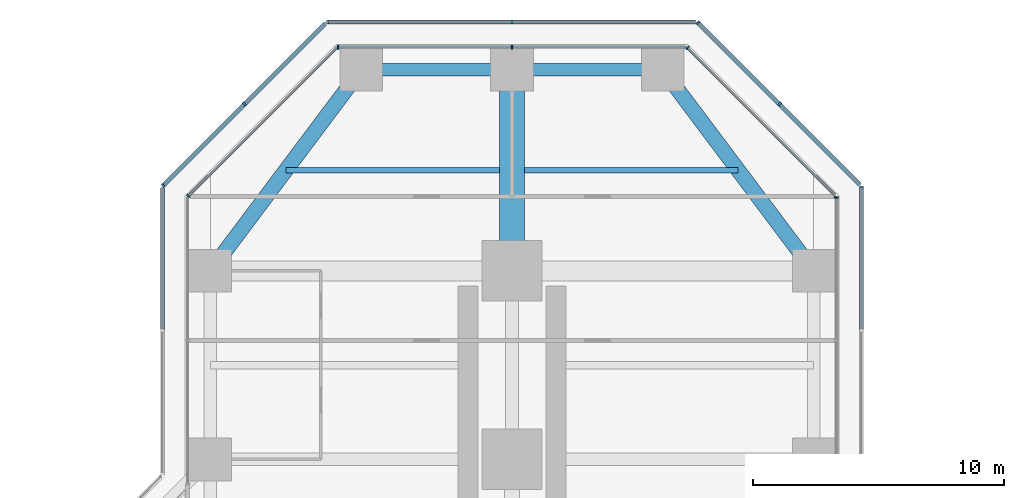
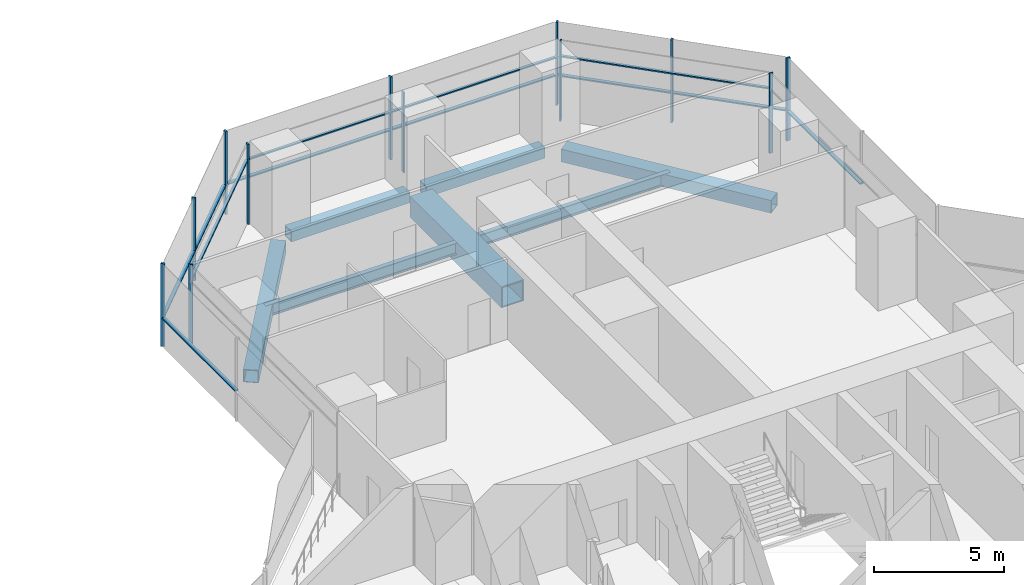
# One storey, part 13 of 22: 24 members, 7 beams, 9 elements without a shape of their own.
"""IFC4 building model written with IfcOpenShell, lengths in metres."""

from ifc_helpers import new_model, si_unit, direction, frame, origin, origin_2d, place, context, subcontext, project, spatial, rectangle, hollow_rectangle, i_section, extrude, material, material_profile, profile_set, type_object, element, aggregate, save


model = new_model("IFC4")

# Units and contexts
model_context = context("Model", 3, precision=1e-05, world=origin(), true_north=direction((0.0, 1.0)))
body_context = subcontext(model_context, "Body", "Model", "MODEL_VIEW")
ifc_project = project(units=[si_unit("LENGTHUNIT", "METRE"), si_unit("AREAUNIT", "SQUARE_METRE"), si_unit("VOLUMEUNIT", "CUBIC_METRE"), si_unit("PLANEANGLEUNIT", "RADIAN"), si_unit("MASSUNIT", "GRAM", prefix="KILO")], contexts=[model_context])

# Site, building, storey
site_placement = place(None, origin())
site = spatial("IfcSite", under=ifc_project, at=site_placement, CompositionType="ELEMENT")
building_placement = place(site_placement, origin())
building = spatial("IfcBuilding", under=site, at=building_placement, Name="Mizan Broadcast Tower", CompositionType="ELEMENT")
storey_placement = place(building_placement, frame((0.0, 0.0, 105.89990234375)))
storey = spatial("IfcBuildingStorey", under=building, at=storey_placement, Name="L23", CompositionType="ELEMENT", Elevation=105.89990234375)

# Beams
ifc_material_1 = material(Name="Steel S355", Category="steel")
ifc_material_profile_1 = material_profile(ifc_material_1, hollow_rectangle(XDim=0.5, YDim=0.5, WallThickness=0.030029296875, at=origin_2d()), Name="BOX 500x500x30")
ifc_profile_set_1 = profile_set([ifc_material_profile_1], Name="Steel S355")
beam_type_1 = type_object("IfcBeamType", Name="EDGE BEAM BOX 500x500x30", PredefinedType="SPANDREL", material=ifc_profile_set_1)
for number, where, z_axis, x_axis, name in (
    (1, (5.639892578125, 35.0, -0.3798828125), (-1.0, 0.0, 0.0), (0.0, -1.0, 0.0), "Edge beam BOX 500x500x30 L23 north arm"),
    (2, (-5.639892578125, 35.0, -0.3798828125), (1.0, 0.0, 0.0), (0.0, 1.0, 0.0), "Edge beam BOX 500x500x30 L23 north arm"),
):
    element("IfcBeam", number, at=place(storey_placement, frame(where, z_axis=z_axis, x_axis=x_axis)), inside=storey, type_object=beam_type_1, Name=name, PredefinedType="SPANDREL", context=body_context, shape_type="SweptSolid", body=[
        extrude(hollow_rectangle(XDim=0.5, YDim=0.5, WallThickness=0.030029296875, at=origin_2d()), origin(), (0.0, 0.0, 1.0), 5.27978515625),
    ])
ifc_material_2 = material(Name="Steel S355", Category="steel")
ifc_material_profile_2 = material_profile(ifc_material_2, hollow_rectangle(XDim=0.60009765625, YDim=0.60009765625, WallThickness=0.030029296875, at=origin_2d()), Name="BOX 600x600x30")
ifc_profile_set_2 = profile_set([ifc_material_profile_2], Name="Steel S355")
beam_type_2 = type_object("IfcBeamType", Name="EDGE BEAM BOX 600x600x30", PredefinedType="SPANDREL", material=ifc_profile_set_2)
for number, where, z_axis, x_axis, name in (
    (3, (11.639892578125, 27.47998046875, -0.429931640625), (-0.599982243973, 0.800013316712, 0.0), (-0.800013316712, -0.599982243973, 0.0), "Edge beam BOX 600x600x30 L23 north arm"),
    (4, (-11.639892578125, 27.47998046875, -0.429931640625), (0.599982243973, 0.800013316712, 0.0), (-0.800013316712, 0.599982243973, 0.0), "Edge beam BOX 600x600x30 L23 north arm"),
):
    element("IfcBeam", number, at=place(storey_placement, frame(where, z_axis=z_axis, x_axis=x_axis)), inside=storey, type_object=beam_type_2, Name=name, PredefinedType="SPANDREL", context=body_context, shape_type="SweptSolid", body=[
        extrude(hollow_rectangle(XDim=0.60009765625, YDim=0.60009765625, WallThickness=0.030029296875, at=origin_2d()), origin(), (0.0, 0.0, 1.0), 8.7998046875),
    ])
ifc_material_3 = material(Name="Steel S460", Category="steel")
ifc_material_profile_3 = material_profile(ifc_material_3, hollow_rectangle(XDim=1.0, YDim=1.0, WallThickness=0.06005859375, at=origin_2d()), Name="BOX 1000x1000x60")
ifc_profile_set_3 = profile_set([ifc_material_profile_3], Name="Steel S460")
beam_type_3 = type_object("IfcBeamType", Name="GIRDER BOX 1000x1000x60", PredefinedType="BEAM", material=ifc_profile_set_3)
beam_placement = place(storey_placement, frame((0.0, 27.47998046875, -0.6298828125), z_axis=(0.0, 1.0, 0.0), x_axis=(-1.0, 0.0, 0.0)))
element("IfcBeam", 5, at=beam_placement, inside=storey, type_object=beam_type_3, Name="Girder BOX 1000x1000x60 L23 north arm", PredefinedType="BEAM", context=body_context, shape_type="SweptSolid", body=[
    extrude(hollow_rectangle(XDim=1.0, YDim=1.0, WallThickness=0.06005859375, at=origin_2d()), origin(), (0.0, 0.0, 1.0), 7.0400390625),
])

# Curtain wall, member
ifc_material_4 = material(Name="Aluminium framed glazing", Category="aluminium")
curtain_wall_type_1 = type_object("IfcCurtainWallType", Name="INNER SKIN LOW ZONE", PredefinedType="USERDEFINED", material=ifc_material_4)
curtain_wall_1_placement = place(storey_placement, origin())
curtain_wall_1 = element("IfcCurtainWall", 6, at=curtain_wall_1_placement, inside=storey, type_object=curtain_wall_type_1, Name="Inner skin low zone L23 N side", ObjectType="INNER SKIN LOW ZONE", PredefinedType="USERDEFINED")
ifc_material_5 = material(Name="Aluminium, pale anodised", Category="aluminium")
ifc_material_profile_4 = material_profile(ifc_material_5, rectangle(XDim=0.159912109375, YDim=0.06005859375, at=origin_2d()), Name="MULLION 160x60")
ifc_profile_set_4 = profile_set([ifc_material_profile_4], Name="Aluminium, pale anodised")
member_type_1 = type_object("IfcMemberType", Name="INNER SKIN MULLION 60x160", PredefinedType="MULLION", material=ifc_profile_set_4)
member_1_placement = place(storey_placement, frame((12.89990234375, 29.928466796875, 0.0), z_axis=(0.0, 0.0, 1.0), x_axis=(-1.0, 0.0, 0.0)))
member_1 = element("IfcMember", 7, at=member_1_placement, type_object=member_type_1, Name="Inner skin low zone L23 N side mullion 3", PredefinedType="MULLION", context=body_context, shape_type="SweptSolid", body=[
    extrude(rectangle(XDim=0.159912109375, YDim=0.06005859375, at=origin_2d()), origin(), (0.0, 0.0, 1.0), 3.77001953125),
])
aggregate(curtain_wall_1, [member_1])

curtain_wall_2_placement = place(storey_placement, origin())
curtain_wall_2 = element("IfcCurtainWall", 8, at=curtain_wall_2_placement, inside=storey, type_object=curtain_wall_type_1, Name="Inner skin low zone L23 N chamfer", ObjectType="INNER SKIN LOW ZONE", PredefinedType="USERDEFINED")
member_2_placement = place(storey_placement, frame((6.979736328125, 35.87890625, 0.0), z_axis=(0.0, 0.0, 1.0), x_axis=(-0.707106781187, -0.707106781187, 0.0)))
member_2 = element("IfcMember", 9, at=member_2_placement, type_object=member_type_1, Name="Inner skin low zone L23 N chamfer mullion 2", PredefinedType="MULLION", context=body_context, shape_type="SweptSolid", body=[
    extrude(rectangle(XDim=0.159912109375, YDim=0.06005859375, at=origin_2d()), origin(), (0.0, 0.0, 1.0), 3.77001953125),
])

# Curtain wall, members
curtain_wall_3_placement = place(storey_placement, origin())
curtain_wall_3 = element("IfcCurtainWall", 10, at=curtain_wall_3_placement, inside=storey, type_object=curtain_wall_type_1, Name="Inner skin low zone L23 N end", ObjectType="INNER SKIN LOW ZONE", PredefinedType="USERDEFINED")
member_3_placement = place(storey_placement, frame((0.0, 35.89990234375, 0.0), z_axis=(0.0, 0.0, 1.0), x_axis=(0.0, -1.0, 0.0)))
member_3 = element("IfcMember", 11, at=member_3_placement, type_object=member_type_1, Name="Inner skin low zone L23 N end mullion 2", PredefinedType="MULLION", context=body_context, shape_type="SweptSolid", body=[
    extrude(rectangle(XDim=0.159912109375, YDim=0.06005859375, at=origin_2d()), origin(), (0.0, 0.0, 1.0), 3.77001953125),
])
member_4_placement = place(storey_placement, frame((-6.928466796875, 35.89990234375, 0.0), z_axis=(0.0, 0.0, 1.0), x_axis=(0.0, -1.0, 0.0)))
member_4 = element("IfcMember", 12, at=member_4_placement, type_object=member_type_1, Name="Inner skin low zone L23 N end mullion 3", PredefinedType="MULLION", context=body_context, shape_type="SweptSolid", body=[
    extrude(rectangle(XDim=0.159912109375, YDim=0.06005859375, at=origin_2d()), origin(), (0.0, 0.0, 1.0), 3.77001953125),
])

# Curtain wall, member
curtain_wall_4_placement = place(storey_placement, origin())
curtain_wall_4 = element("IfcCurtainWall", 13, at=curtain_wall_4_placement, inside=storey, type_object=curtain_wall_type_1, Name="Inner skin low zone L23 N chamfer", ObjectType="INNER SKIN LOW ZONE", PredefinedType="USERDEFINED")
member_5_placement = place(storey_placement, frame((-12.87890625, 29.979736328125, 0.0), z_axis=(0.0, 0.0, 1.0), x_axis=(0.707106781187, -0.707106781187, 0.0)))
member_5 = element("IfcMember", 14, at=member_5_placement, type_object=member_type_1, Name="Inner skin low zone L23 N chamfer mullion 2", PredefinedType="MULLION", context=body_context, shape_type="SweptSolid", body=[
    extrude(rectangle(XDim=0.159912109375, YDim=0.06005859375, at=origin_2d()), origin(), (0.0, 0.0, 1.0), 3.77001953125),
])

# Member
ifc_material_6 = material(Name="Aluminium, pale anodised", Category="aluminium")
ifc_material_profile_5 = material_profile(ifc_material_6, rectangle(XDim=0.1201171875, YDim=0.06005859375, at=origin_2d()), Name="TRANSOM 120x60")
ifc_profile_set_5 = profile_set([ifc_material_profile_5], Name="Aluminium, pale anodised")
member_type_2 = type_object("IfcMemberType", Name="INNER SKIN TRANSOM 60x120", PredefinedType="USERDEFINED", material=ifc_profile_set_5)
member_6_placement = place(storey_placement, frame((12.857666015625, 30.0009765625, 3.030029296875), z_axis=(-0.707106781187, 0.707106781187, 0.0), x_axis=(-0.707106781187, -0.707106781187, 0.0)))
member_6 = element("IfcMember", 15, at=member_6_placement, type_object=member_type_2, Name="Inner skin low zone L23 N chamfer transom 1.1", ObjectType="TRANSOM", PredefinedType="USERDEFINED", context=body_context, shape_type="SweptSolid", body=[
    extrude(rectangle(XDim=0.1201171875, YDim=0.06005859375, at=origin_2d()), origin(), (0.0, 0.0, 1.0), 8.28271484375),
])

aggregate(curtain_wall_2, [member_2, member_6])

member_7_placement = place(storey_placement, frame((6.898681640625, 35.89990234375, 3.030029296875), z_axis=(-1.0, 0.0, 0.0), x_axis=(0.0, -1.0, 0.0)))
member_7 = element("IfcMember", 16, at=member_7_placement, type_object=member_type_2, Name="Inner skin low zone L23 N end transom 1.1", ObjectType="TRANSOM", PredefinedType="USERDEFINED", context=body_context, shape_type="SweptSolid", body=[
    extrude(rectangle(XDim=0.1201171875, YDim=0.06005859375, at=origin_2d()), origin(), (0.0, 0.0, 1.0), 6.86865234375),
])

member_8_placement = place(storey_placement, frame((-0.030029296875, 35.89990234375, 3.030029296875), z_axis=(-1.0, 0.0, 0.0), x_axis=(0.0, -1.0, 0.0)))
member_8 = element("IfcMember", 17, at=member_8_placement, type_object=member_type_2, Name="Inner skin low zone L23 N end transom 2.1", ObjectType="TRANSOM", PredefinedType="USERDEFINED", context=body_context, shape_type="SweptSolid", body=[
    extrude(rectangle(XDim=0.1201171875, YDim=0.06005859375, at=origin_2d()), origin(), (0.0, 0.0, 1.0), 6.86865234375),
])

aggregate(curtain_wall_3, [member_3, member_4, member_7, member_8])

member_9_placement = place(storey_placement, frame((-7.0009765625, 35.857666015625, 3.030029296875), z_axis=(-0.707106781187, -0.707106781187, 0.0), x_axis=(0.707106781187, -0.707106781187, 0.0)))
member_9 = element("IfcMember", 18, at=member_9_placement, type_object=member_type_2, Name="Inner skin low zone L23 N chamfer transom 1.1", ObjectType="TRANSOM", PredefinedType="USERDEFINED", context=body_context, shape_type="SweptSolid", body=[
    extrude(rectangle(XDim=0.1201171875, YDim=0.06005859375, at=origin_2d()), origin(), (0.0, 0.0, 1.0), 8.28271484375),
])

aggregate(curtain_wall_4, [member_5, member_9])

# Curtain wall, member
ifc_material_7 = material(Name="Aluminium framed glazing", Category="aluminium")
curtain_wall_type_2 = type_object("IfcCurtainWallType", Name="OUTER SKIN", PredefinedType="USERDEFINED", material=ifc_material_7)
curtain_wall_5_placement = place(storey_placement, origin())
curtain_wall_5 = element("IfcCurtainWall", 19, at=curtain_wall_5_placement, inside=storey, type_object=curtain_wall_type_2, Name="Outer skin L23 N side", ObjectType="OUTER SKIN", PredefinedType="USERDEFINED")
ifc_material_8 = material(Name="Aluminium, pale anodised", Category="aluminium")
ifc_material_profile_6 = material_profile(ifc_material_8, rectangle(XDim=0.159912109375, YDim=0.080078125, at=origin_2d()), Name="MULLION 160x80")
ifc_profile_set_6 = profile_set([ifc_material_profile_6], Name="Aluminium, pale anodised")
member_type_3 = type_object("IfcMemberType", Name="OUTER SKIN MULLION 80x160", PredefinedType="MULLION", material=ifc_profile_set_6)
member_10_placement = place(storey_placement, frame((13.89990234375, 30.332763671875, 0.0), z_axis=(0.0, 0.0, 1.0), x_axis=(-1.0, 0.0, 0.0)))
member_10 = element("IfcMember", 20, at=member_10_placement, type_object=member_type_3, Name="Outer skin L23 N side mullion 3", PredefinedType="MULLION", context=body_context, shape_type="SweptSolid", body=[
    extrude(rectangle(XDim=0.159912109375, YDim=0.080078125, at=origin_2d()), origin(), (0.0, 0.0, 1.0), 3.900146484375),
])

# Curtain wall, members
curtain_wall_6_placement = place(storey_placement, origin())
curtain_wall_6 = element("IfcCurtainWall", 21, at=curtain_wall_6_placement, inside=storey, type_object=curtain_wall_type_2, Name="Outer skin L23 N chamfer", ObjectType="OUTER SKIN", PredefinedType="USERDEFINED")
member_11_placement = place(storey_placement, frame((10.636474609375, 33.636474609375, 0.0), z_axis=(0.0, 0.0, 1.0), x_axis=(-0.707106781187, -0.707106781187, 0.0)))
member_11 = element("IfcMember", 22, at=member_11_placement, type_object=member_type_3, Name="Outer skin L23 N chamfer mullion 2", PredefinedType="MULLION", context=body_context, shape_type="SweptSolid", body=[
    extrude(rectangle(XDim=0.159912109375, YDim=0.080078125, at=origin_2d()), origin(), (0.0, 0.0, 1.0), 3.900146484375),
])
member_12_placement = place(storey_placement, frame((7.401123046875, 36.871826171875, 0.0), z_axis=(0.0, 0.0, 1.0), x_axis=(-0.707106781187, -0.707106781187, 0.0)))
member_12 = element("IfcMember", 23, at=member_12_placement, type_object=member_type_3, Name="Outer skin L23 N chamfer mullion 3", PredefinedType="MULLION", context=body_context, shape_type="SweptSolid", body=[
    extrude(rectangle(XDim=0.159912109375, YDim=0.080078125, at=origin_2d()), origin(), (0.0, 0.0, 1.0), 3.900146484375),
])

curtain_wall_7_placement = place(storey_placement, origin())
curtain_wall_7 = element("IfcCurtainWall", 24, at=curtain_wall_7_placement, inside=storey, type_object=curtain_wall_type_2, Name="Outer skin L23 N end", ObjectType="OUTER SKIN", PredefinedType="USERDEFINED")
member_13_placement = place(storey_placement, frame((0.0, 36.89990234375, 0.0), z_axis=(0.0, 0.0, 1.0), x_axis=(0.0, -1.0, 0.0)))
member_13 = element("IfcMember", 25, at=member_13_placement, type_object=member_type_3, Name="Outer skin L23 N end mullion 2", PredefinedType="MULLION", context=body_context, shape_type="SweptSolid", body=[
    extrude(rectangle(XDim=0.159912109375, YDim=0.080078125, at=origin_2d()), origin(), (0.0, 0.0, 1.0), 3.900146484375),
])
member_14_placement = place(storey_placement, frame((-7.332763671875, 36.89990234375, 0.0), z_axis=(0.0, 0.0, 1.0), x_axis=(0.0, -1.0, 0.0)))
member_14 = element("IfcMember", 26, at=member_14_placement, type_object=member_type_3, Name="Outer skin L23 N end mullion 3", PredefinedType="MULLION", context=body_context, shape_type="SweptSolid", body=[
    extrude(rectangle(XDim=0.159912109375, YDim=0.080078125, at=origin_2d()), origin(), (0.0, 0.0, 1.0), 3.900146484375),
])

curtain_wall_8_placement = place(storey_placement, origin())
curtain_wall_8 = element("IfcCurtainWall", 27, at=curtain_wall_8_placement, inside=storey, type_object=curtain_wall_type_2, Name="Outer skin L23 N chamfer", ObjectType="OUTER SKIN", PredefinedType="USERDEFINED")
member_15_placement = place(storey_placement, frame((-10.636474609375, 33.636474609375, 0.0), z_axis=(0.0, 0.0, 1.0), x_axis=(0.707106781187, -0.707106781187, 0.0)))
member_15 = element("IfcMember", 28, at=member_15_placement, type_object=member_type_3, Name="Outer skin L23 N chamfer mullion 2", PredefinedType="MULLION", context=body_context, shape_type="SweptSolid", body=[
    extrude(rectangle(XDim=0.159912109375, YDim=0.080078125, at=origin_2d()), origin(), (0.0, 0.0, 1.0), 3.900146484375),
])
member_16_placement = place(storey_placement, frame((-13.871826171875, 30.401123046875, 0.0), z_axis=(0.0, 0.0, 1.0), x_axis=(0.707106781187, -0.707106781187, 0.0)))
member_16 = element("IfcMember", 29, at=member_16_placement, type_object=member_type_3, Name="Outer skin L23 N chamfer mullion 3", PredefinedType="MULLION", context=body_context, shape_type="SweptSolid", body=[
    extrude(rectangle(XDim=0.159912109375, YDim=0.080078125, at=origin_2d()), origin(), (0.0, 0.0, 1.0), 3.900146484375),
])

# Member
ifc_material_9 = material(Name="Aluminium, pale anodised", Category="aluminium")
ifc_material_profile_7 = material_profile(ifc_material_9, rectangle(XDim=0.159912109375, YDim=0.06005859375, at=origin_2d()), Name="TRANSOM 160x60")
ifc_profile_set_7 = profile_set([ifc_material_profile_7], Name="Aluminium, pale anodised")
member_type_4 = type_object("IfcMemberType", Name="OUTER SKIN TRANSOM 60x160", PredefinedType="USERDEFINED", material=ifc_profile_set_7)
member_17_placement = place(storey_placement, frame((13.89990234375, 24.662841796875, 1.400146484375), z_axis=(0.0, 1.0, 0.0), x_axis=(-1.0, 0.0, 0.0)))
member_17 = element("IfcMember", 30, at=member_17_placement, type_object=member_type_4, Name="Outer skin L23 N side transom 2.1", ObjectType="TRANSOM", PredefinedType="USERDEFINED", context=body_context, shape_type="SweptSolid", body=[
    extrude(rectangle(XDim=0.159912109375, YDim=0.06005859375, at=origin_2d()), origin(), (0.0, 0.0, 1.0), 5.6298828125),
])

aggregate(curtain_wall_5, [member_10, member_17])

member_18_placement = place(storey_placement, frame((13.843505859375, 30.429443359375, 1.400146484375), z_axis=(-0.707106781187, 0.707106781187, 0.0), x_axis=(-0.707106781187, -0.707106781187, 0.0)))
member_18 = element("IfcMember", 31, at=member_18_placement, type_object=member_type_4, Name="Outer skin L23 N chamfer transom 1.1", ObjectType="TRANSOM", PredefinedType="USERDEFINED", context=body_context, shape_type="SweptSolid", body=[
    extrude(rectangle(XDim=0.159912109375, YDim=0.06005859375, at=origin_2d()), origin(), (0.0, 0.0, 1.0), 4.495361328125),
])

member_19_placement = place(storey_placement, frame((10.608154296875, 33.664794921875, 1.400146484375), z_axis=(-0.707106781187, 0.707106781187, 0.0), x_axis=(-0.707106781187, -0.707106781187, 0.0)))
member_19 = element("IfcMember", 32, at=member_19_placement, type_object=member_type_4, Name="Outer skin L23 N chamfer transom 2.1", ObjectType="TRANSOM", PredefinedType="USERDEFINED", context=body_context, shape_type="SweptSolid", body=[
    extrude(rectangle(XDim=0.159912109375, YDim=0.06005859375, at=origin_2d()), origin(), (0.0, 0.0, 1.0), 4.495361328125),
])

aggregate(curtain_wall_6, [member_11, member_12, member_18, member_19])

member_20_placement = place(storey_placement, frame((7.292724609375, 36.89990234375, 1.400146484375), z_axis=(-1.0, 0.0, 0.0), x_axis=(0.0, -1.0, 0.0)))
member_20 = element("IfcMember", 33, at=member_20_placement, type_object=member_type_4, Name="Outer skin L23 N end transom 1.1", ObjectType="TRANSOM", PredefinedType="USERDEFINED", context=body_context, shape_type="SweptSolid", body=[
    extrude(rectangle(XDim=0.159912109375, YDim=0.06005859375, at=origin_2d()), origin(), (0.0, 0.0, 1.0), 7.252685546875),
])

member_21_placement = place(storey_placement, frame((-0.0400390625, 36.89990234375, 1.400146484375), z_axis=(-1.0, 0.0, 0.0), x_axis=(0.0, -1.0, 0.0)))
member_21 = element("IfcMember", 34, at=member_21_placement, type_object=member_type_4, Name="Outer skin L23 N end transom 2.1", ObjectType="TRANSOM", PredefinedType="USERDEFINED", context=body_context, shape_type="SweptSolid", body=[
    extrude(rectangle(XDim=0.159912109375, YDim=0.06005859375, at=origin_2d()), origin(), (0.0, 0.0, 1.0), 7.252685546875),
])

aggregate(curtain_wall_7, [member_13, member_14, member_20, member_21])

member_22_placement = place(storey_placement, frame((-7.429443359375, 36.843505859375, 1.400146484375), z_axis=(-0.707106781187, -0.707106781187, 0.0), x_axis=(0.707106781187, -0.707106781187, 0.0)))
member_22 = element("IfcMember", 35, at=member_22_placement, type_object=member_type_4, Name="Outer skin L23 N chamfer transom 1.1", ObjectType="TRANSOM", PredefinedType="USERDEFINED", context=body_context, shape_type="SweptSolid", body=[
    extrude(rectangle(XDim=0.159912109375, YDim=0.06005859375, at=origin_2d()), origin(), (0.0, 0.0, 1.0), 4.495361328125),
])

member_23_placement = place(storey_placement, frame((-10.664794921875, 33.608154296875, 1.400146484375), z_axis=(-0.707106781187, -0.707106781187, 0.0), x_axis=(0.707106781187, -0.707106781187, 0.0)))
member_23 = element("IfcMember", 36, at=member_23_placement, type_object=member_type_4, Name="Outer skin L23 N chamfer transom 2.1", ObjectType="TRANSOM", PredefinedType="USERDEFINED", context=body_context, shape_type="SweptSolid", body=[
    extrude(rectangle(XDim=0.159912109375, YDim=0.06005859375, at=origin_2d()), origin(), (0.0, 0.0, 1.0), 4.495361328125),
])

aggregate(curtain_wall_8, [member_15, member_16, member_22, member_23])

# Curtain wall, member
curtain_wall_9_placement = place(storey_placement, origin())
curtain_wall_9 = element("IfcCurtainWall", 37, at=curtain_wall_9_placement, inside=storey, type_object=curtain_wall_type_2, Name="Outer skin L23 N side", ObjectType="OUTER SKIN", PredefinedType="USERDEFINED")
member_24_placement = place(storey_placement, frame((-13.89990234375, 30.292724609375, 1.400146484375), z_axis=(0.0, -1.0, 0.0), x_axis=(1.0, 0.0, 0.0)))
member_24 = element("IfcMember", 38, at=member_24_placement, type_object=member_type_4, Name="Outer skin L23 N side transom 1.1", ObjectType="TRANSOM", PredefinedType="USERDEFINED", context=body_context, shape_type="SweptSolid", body=[
    extrude(rectangle(XDim=0.159912109375, YDim=0.06005859375, at=origin_2d()), origin(), (0.0, 0.0, 1.0), 5.6298828125),
])
aggregate(curtain_wall_9, [member_24])

# Beams
ifc_material_10 = material(Name="Steel S355", Category="steel")
ifc_material_profile_8 = material_profile(ifc_material_10, i_section(OverallWidth=0.2099609375, OverallDepth=0.550048828125, WebThickness=0.010986328125, FlangeThickness=0.01708984375, FilletRadius=0.02392578125, at=origin_2d()), Name="IPE 550")
ifc_profile_set_8 = profile_set([ifc_material_profile_8], Name="Steel S355")
beam_type_4 = type_object("IfcBeamType", Name="SECONDARY BEAM IPE 550", PredefinedType="JOIST", material=ifc_profile_set_8)
for number, where, z_axis, x_axis, name in (
    (39, (9.0, 31.0, -0.40478515625), (-1.0, 0.0, 0.0), (0.0, -1.0, 0.0), "Secondary beam IPE 550 L23 north arm"),
    (40, (-9.0, 31.0, -0.40478515625), (1.0, 0.0, 0.0), (0.0, 1.0, 0.0), "Secondary beam IPE 550 L23 north arm"),
):
    element("IfcBeam", number, at=place(storey_placement, frame(where, z_axis=z_axis, x_axis=x_axis)), inside=storey, type_object=beam_type_4, Name=name, PredefinedType="JOIST", context=body_context, shape_type="SweptSolid", body=[
        extrude(i_section(OverallWidth=0.2099609375, OverallDepth=0.550048828125, WebThickness=0.010986328125, FlangeThickness=0.01708984375, FilletRadius=0.02392578125, at=origin_2d()), origin(), (0.0, 0.0, 1.0), 8.5),
    ])

save(model, "model.ifc")
